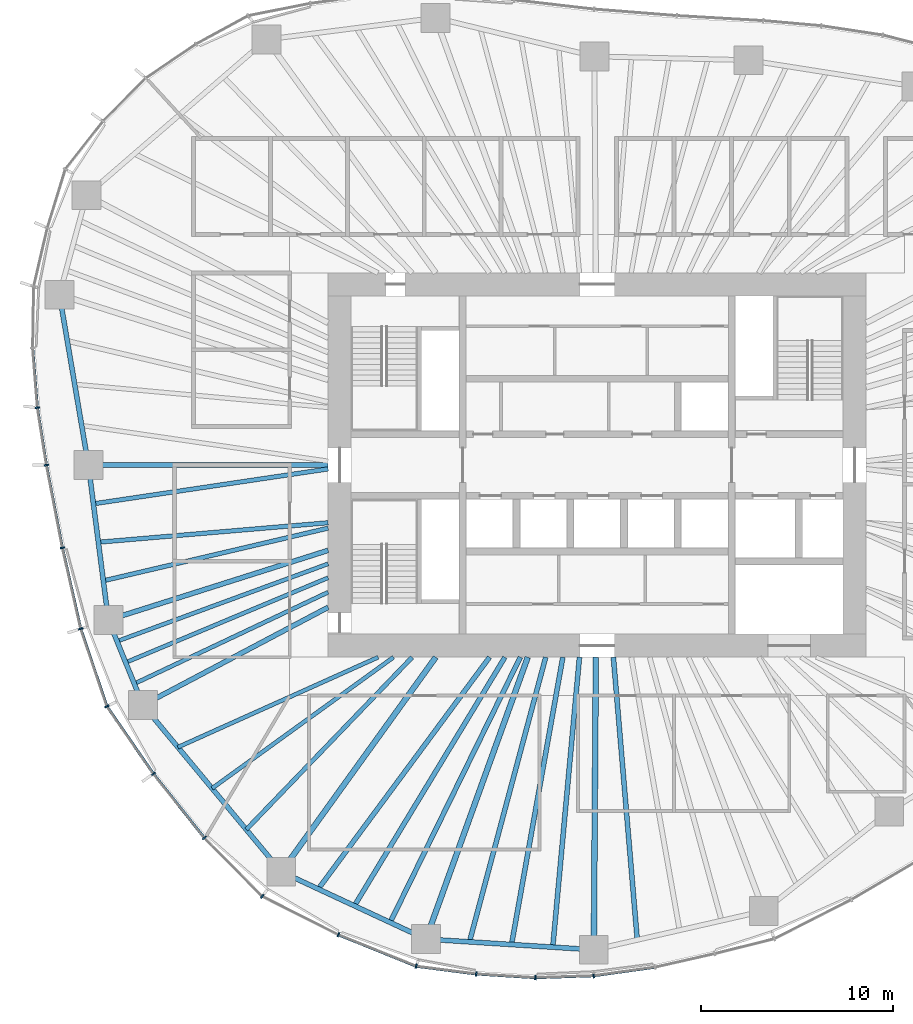
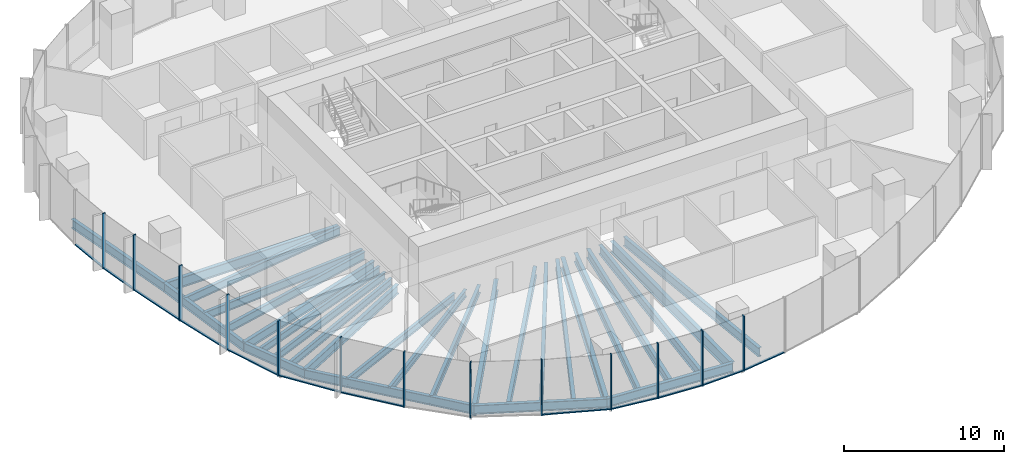
# One storey, part 2 of 18: 28 beams, 25 members, 7 elements without a shape of their own.
"""IFC4 building model written with IfcOpenShell, lengths in metres."""

from ifc_helpers import new_model, si_unit, direction, frame, origin, origin_2d, place, context, subcontext, project, spatial, rectangle, i_section, extrude, material, material_profile, profile_set, type_object, element, aggregate, save


model = new_model("IFC4")

# Units and contexts
model_context = context("Model", 3, precision=1e-05, world=origin(), true_north=direction((0.0, 1.0)))
body_context = subcontext(model_context, "Body", "Model", "MODEL_VIEW")
ifc_project = project(units=[si_unit("LENGTHUNIT", "METRE"), si_unit("AREAUNIT", "SQUARE_METRE"), si_unit("VOLUMEUNIT", "CUBIC_METRE"), si_unit("PLANEANGLEUNIT", "RADIAN"), si_unit("MASSUNIT", "GRAM", prefix="KILO")], contexts=[model_context])

# Site, building, storey
site_placement = place(None, origin())
site = spatial("IfcSite", under=ifc_project, at=site_placement, CompositionType="ELEMENT")
building_placement = place(site_placement, origin())
building = spatial("IfcBuilding", under=site, at=building_placement, Name="Ghaith Harvest Tower", CompositionType="ELEMENT")
storey_placement = place(building_placement, frame((0.0, 0.0, 134.39990234375)))
storey = spatial("IfcBuildingStorey", under=building, at=storey_placement, Name="L28", CompositionType="ELEMENT", Elevation=134.39990234375)

# Curtain wall, member
ifc_material_1 = material(Name="Black anodised aluminium and fritted glass", Category="aluminium")
curtain_wall_type = type_object("IfcCurtainWallType", Name="CW-L CURTAIN WALL", PredefinedType="NOTDEFINED", material=ifc_material_1)
curtain_wall_1_placement = place(storey_placement, origin())
curtain_wall_1 = element("IfcCurtainWall", 1, at=curtain_wall_1_placement, inside=storey, type_object=curtain_wall_type, Name="Curtain wall CW-L bay 10 L28", PredefinedType="NOTDEFINED")
ifc_material_2 = material(Name="Aluminium, black anodised", Category="aluminium")
ifc_material_profile_1 = material_profile(ifc_material_2, rectangle(XDim=0.080078125, YDim=0.239990234375, at=origin_2d()), Name="CW-L MULLION 80x240")
ifc_profile_set_1 = profile_set([ifc_material_profile_1], Name="Aluminium, black anodised")
member_type_1 = type_object("IfcMemberType", Name="CW-L MULLION 80x240", PredefinedType="MULLION", material=ifc_profile_set_1)
member_1_placement = place(storey_placement, frame((-29.131103515625, 2.990478515625, 0.0), z_axis=(0.0, 0.0, 1.0), x_axis=(0.116763791346, -0.993159713757, 0.0)))
member_1 = element("IfcMember", 2, at=member_1_placement, type_object=member_type_1, Name="CW-L mullion 3 bay 10 L28", PredefinedType="MULLION", context=body_context, shape_type="SweptSolid", body=[
    extrude(rectangle(XDim=0.080078125, YDim=0.239990234375, at=origin_2d()), origin(), (0.0, 0.0, 1.0), 4.2001953125),
])

# Curtain wall, members
curtain_wall_2_placement = place(storey_placement, origin())
curtain_wall_2 = element("IfcCurtainWall", 3, at=curtain_wall_2_placement, inside=storey, type_object=curtain_wall_type, Name="Curtain wall CW-L bay 11 L28", PredefinedType="NOTDEFINED")
member_2_placement = place(storey_placement, frame((-28.6611328125, 0.0, 0.0), z_axis=(0.0, 0.0, 1.0), x_axis=(0.175827209372, -0.984421044292, 0.0)))
member_2 = element("IfcMember", 4, at=member_2_placement, type_object=member_type_1, Name="CW-L mullion 1 bay 11 L28", PredefinedType="MULLION", context=body_context, shape_type="SweptSolid", body=[
    extrude(rectangle(XDim=0.080078125, YDim=0.239990234375, at=origin_2d()), origin(), (0.0, 0.0, 1.0), 4.2001953125),
])
member_3_placement = place(storey_placement, frame((-27.828125, -4.30419921875, 0.0), z_axis=(0.0, 0.0, 1.0), x_axis=(0.205176300018, -0.978725030798, 0.0)))
member_3 = element("IfcMember", 5, at=member_3_placement, type_object=member_type_1, Name="CW-L mullion 2 bay 11 L28", PredefinedType="MULLION", context=body_context, shape_type="SweptSolid", body=[
    extrude(rectangle(XDim=0.080078125, YDim=0.239990234375, at=origin_2d()), origin(), (0.0, 0.0, 1.0), 4.2001953125),
])

curtain_wall_3_placement = place(storey_placement, origin())
curtain_wall_3 = element("IfcCurtainWall", 6, at=curtain_wall_3_placement, inside=storey, type_object=curtain_wall_type, Name="Curtain wall CW-L bay 12 L28", PredefinedType="NOTDEFINED")
member_4_placement = place(storey_placement, frame((-26.875732421875, -8.517333984375, 0.0), z_axis=(0.0, 0.0, 1.0), x_axis=(0.270018818005, -0.962855045125, 0.0)))
member_4 = element("IfcMember", 7, at=member_4_placement, type_object=member_type_1, Name="CW-L mullion 1 bay 12 L28", PredefinedType="MULLION", context=body_context, shape_type="SweptSolid", body=[
    extrude(rectangle(XDim=0.080078125, YDim=0.239990234375, at=origin_2d()), origin(), (0.0, 0.0, 1.0), 4.2001953125),
])
member_5_placement = place(storey_placement, frame((-25.513427734375, -12.55810546875, 0.0), z_axis=(0.0, 0.0, 1.0), x_axis=(0.448267068681, -0.893899678452, 0.0)))
member_5 = element("IfcMember", 8, at=member_5_placement, type_object=member_type_1, Name="CW-L mullion 2 bay 12 L28", PredefinedType="MULLION", context=body_context, shape_type="SweptSolid", body=[
    extrude(rectangle(XDim=0.080078125, YDim=0.239990234375, at=origin_2d()), origin(), (0.0, 0.0, 1.0), 4.2001953125),
])

curtain_wall_4_placement = place(storey_placement, origin())
curtain_wall_4 = element("IfcCurtainWall", 9, at=curtain_wall_4_placement, inside=storey, type_object=curtain_wall_type, Name="Curtain wall CW-L bay 13 L28", PredefinedType="NOTDEFINED")
member_6_placement = place(storey_placement, frame((-23.090087890625, -16.066162109375, 0.0), z_axis=(0.0, 0.0, 1.0), x_axis=(0.595740202191, -0.803177198066, 0.0)))
member_6 = element("IfcMember", 10, at=member_6_placement, type_object=member_type_1, Name="CW-L mullion 1 bay 13 L28", PredefinedType="MULLION", context=body_context, shape_type="SweptSolid", body=[
    extrude(rectangle(XDim=0.080078125, YDim=0.239990234375, at=origin_2d()), origin(), (0.0, 0.0, 1.0), 4.2001953125),
])
member_7_placement = place(storey_placement, frame((-20.441162109375, -19.396728515625, 0.0), z_axis=(0.0, 0.0, 1.0), x_axis=(0.663764675537, -0.747941478666, 0.0)))
member_7 = element("IfcMember", 11, at=member_7_placement, type_object=member_type_1, Name="CW-L mullion 2 bay 13 L28", PredefinedType="MULLION", context=body_context, shape_type="SweptSolid", body=[
    extrude(rectangle(XDim=0.080078125, YDim=0.239990234375, at=origin_2d()), origin(), (0.0, 0.0, 1.0), 4.2001953125),
])

curtain_wall_5_placement = place(storey_placement, origin())
curtain_wall_5 = element("IfcCurtainWall", 12, at=curtain_wall_5_placement, inside=storey, type_object=curtain_wall_type, Name="Curtain wall CW-L bay 14 L28", PredefinedType="NOTDEFINED")
member_8_placement = place(storey_placement, frame((-17.430419921875, -22.443603515625, 0.0), z_axis=(0.0, 0.0, 1.0), x_axis=(0.810339399222, -0.585960799089, 0.0)))
member_8 = element("IfcMember", 13, at=member_8_placement, type_object=member_type_1, Name="CW-L mullion 1 bay 14 L28", PredefinedType="MULLION", context=body_context, shape_type="SweptSolid", body=[
    extrude(rectangle(XDim=0.080078125, YDim=0.239990234375, at=origin_2d()), origin(), (0.0, 0.0, 1.0), 4.2001953125),
])
member_9_placement = place(storey_placement, frame((-13.463134765625, -24.4423828125, 0.0), z_axis=(0.0, 0.0, 1.0), x_axis=(0.910648017946, -0.413182995066, 0.0)))
member_9 = element("IfcMember", 14, at=member_9_placement, type_object=member_type_1, Name="CW-L mullion 2 bay 14 L28", PredefinedType="MULLION", context=body_context, shape_type="SweptSolid", body=[
    extrude(rectangle(XDim=0.080078125, YDim=0.239990234375, at=origin_2d()), origin(), (0.0, 0.0, 1.0), 4.2001953125),
])

curtain_wall_6_placement = place(storey_placement, origin())
curtain_wall_6 = element("IfcCurtainWall", 15, at=curtain_wall_6_placement, inside=storey, type_object=curtain_wall_type, Name="Curtain wall CW-L bay 15 L28", PredefinedType="NOTDEFINED")
member_10_placement = place(storey_placement, frame((-9.4189453125, -26.07861328125, 0.0), z_axis=(0.0, 0.0, 1.0), x_axis=(0.961788606004, -0.273793128768, 0.0)))
member_10 = element("IfcMember", 16, at=member_10_placement, type_object=member_type_1, Name="CW-L mullion 1 bay 15 L28", PredefinedType="MULLION", context=body_context, shape_type="SweptSolid", body=[
    extrude(rectangle(XDim=0.080078125, YDim=0.239990234375, at=origin_2d()), origin(), (0.0, 0.0, 1.0), 4.2001953125),
])
member_11_placement = place(storey_placement, frame((-6.29443359375, -26.483154296875, 0.0), z_axis=(0.0, 0.0, 1.0), x_axis=(0.995389243171, -0.095917957546, 0.0)))
member_11 = element("IfcMember", 17, at=member_11_placement, type_object=member_type_1, Name="CW-L mullion 2 bay 15 L28", PredefinedType="MULLION", context=body_context, shape_type="SweptSolid", body=[
    extrude(rectangle(XDim=0.080078125, YDim=0.239990234375, at=origin_2d()), origin(), (0.0, 0.0, 1.0), 4.2001953125),
])
member_12_placement = place(storey_placement, frame((-3.21923828125, -26.676025390625, 0.0), z_axis=(0.0, 0.0, 1.0), x_axis=(0.999890531495, -0.014796115241, 0.0)))
member_12 = element("IfcMember", 18, at=member_12_placement, type_object=member_type_1, Name="CW-L mullion 3 bay 15 L28", PredefinedType="MULLION", context=body_context, shape_type="SweptSolid", body=[
    extrude(rectangle(XDim=0.080078125, YDim=0.239990234375, at=origin_2d()), origin(), (0.0, 0.0, 1.0), 4.2001953125),
])

# Curtain wall, member
curtain_wall_7_placement = place(storey_placement, origin())
curtain_wall_7 = element("IfcCurtainWall", 19, at=curtain_wall_7_placement, inside=storey, type_object=curtain_wall_type, Name="Curtain wall CW-L bay 16 L28", PredefinedType="NOTDEFINED")
member_13_placement = place(storey_placement, frame((-0.181884765625, -26.57373046875, 0.0), z_axis=(0.0, 0.0, 1.0), x_axis=(0.996169227662, 0.087446382772, 0.0)))
member_13 = element("IfcMember", 20, at=member_13_placement, type_object=member_type_1, Name="CW-L mullion 1 bay 16 L28", PredefinedType="MULLION", context=body_context, shape_type="SweptSolid", body=[
    extrude(rectangle(XDim=0.080078125, YDim=0.239990234375, at=origin_2d()), origin(), (0.0, 0.0, 1.0), 4.2001953125),
])

# Member
ifc_material_3 = material(Name="Aluminium, black anodised", Category="aluminium")
ifc_material_profile_2 = material_profile(ifc_material_3, rectangle(XDim=0.14990234375, YDim=0.080078125, at=origin_2d()), Name="CW-L TRANSOM 150x80")
ifc_profile_set_2 = profile_set([ifc_material_profile_2], Name="Aluminium, black anodised")
member_type_2 = type_object("IfcMemberType", Name="CW-L TRANSOM 150x80", PredefinedType="USERDEFINED", material=ifc_profile_set_2)
member_14_placement = place(storey_placement, frame((-29.374755859375, 6.05615234375, 0.0400390625), z_axis=(0.079230491279, -0.996856323274, 0.0), x_axis=(0.996856323274, 0.079230491279, 0.0)))
member_14 = element("IfcMember", 21, at=member_14_placement, type_object=member_type_2, Name="CW-L transom 2 bay 10 L28", ObjectType="TRANSOM", PredefinedType="USERDEFINED", context=body_context, shape_type="SweptSolid", body=[
    extrude(rectangle(XDim=0.14990234375, YDim=0.080078125, at=origin_2d()), origin(), (0.0, 0.0, 1.0), 3.03515625),
])

member_15_placement = place(storey_placement, frame((-29.124755859375, 2.951171875, 0.0400390625), z_axis=(0.155150065502, -0.987890913601, 0.0), x_axis=(0.987890913601, 0.155150065502, 0.0)))
member_15 = element("IfcMember", 22, at=member_15_placement, type_object=member_type_2, Name="CW-L transom 3 bay 10 L28", ObjectType="TRANSOM", PredefinedType="USERDEFINED", context=body_context, shape_type="SweptSolid", body=[
    extrude(rectangle(XDim=0.14990234375, YDim=0.080078125, at=origin_2d()), origin(), (0.0, 0.0, 1.0), 2.947265625),
])

aggregate(curtain_wall_1, [member_14, member_1, member_15])

member_16_placement = place(storey_placement, frame((-28.653564453125, -0.039306640625, 0.0400390625), z_axis=(0.190025434036, -0.981779167848, 0.0), x_axis=(0.981779167848, 0.190025434036, 0.0)))
member_16 = element("IfcMember", 23, at=member_16_placement, type_object=member_type_2, Name="CW-L transom 1 bay 11 L28", ObjectType="TRANSOM", PredefinedType="USERDEFINED", context=body_context, shape_type="SweptSolid", body=[
    extrude(rectangle(XDim=0.14990234375, YDim=0.080078125, at=origin_2d()), origin(), (0.0, 0.0, 1.0), 4.303955078125),
])

member_17_placement = place(storey_placement, frame((-27.8193359375, -4.34326171875, 0.0400390625), z_axis=(0.220508326041, -0.975385092231, 0.0), x_axis=(0.975385092231, 0.220508326041, 0.0)))
member_17 = element("IfcMember", 24, at=member_17_placement, type_object=member_type_2, Name="CW-L transom 2 bay 11 L28", ObjectType="TRANSOM", PredefinedType="USERDEFINED", context=body_context, shape_type="SweptSolid", body=[
    extrude(rectangle(XDim=0.14990234375, YDim=0.080078125, at=origin_2d()), origin(), (0.0, 0.0, 1.0), 4.2392578125),
])

aggregate(curtain_wall_2, [member_2, member_16, member_3, member_17])

member_18_placement = place(storey_placement, frame((-26.863037109375, -8.55517578125, 0.0400390625), z_axis=(0.319499057133, -0.947586593664, 0.0), x_axis=(0.947586593664, 0.319499057133, 0.0)))
member_18 = element("IfcMember", 25, at=member_18_placement, type_object=member_type_2, Name="CW-L transom 1 bay 12 L28", ObjectType="TRANSOM", PredefinedType="USERDEFINED", context=body_context, shape_type="SweptSolid", body=[
    extrude(rectangle(XDim=0.14990234375, YDim=0.080078125, at=origin_2d()), origin(), (0.0, 0.0, 1.0), 4.184326171875),
])

member_19_placement = place(storey_placement, frame((-25.49072265625, -12.591064453125, 0.0400390625), z_axis=(0.568360052499, -0.822779952796, 0.0), x_axis=(0.822779952796, 0.568360052499, 0.0)))
member_19 = element("IfcMember", 26, at=member_19_placement, type_object=member_type_2, Name="CW-L transom 2 bay 12 L28", ObjectType="TRANSOM", PredefinedType="USERDEFINED", context=body_context, shape_type="SweptSolid", body=[
    extrude(rectangle(XDim=0.14990234375, YDim=0.080078125, at=origin_2d()), origin(), (0.0, 0.0, 1.0), 4.183837890625),
])

aggregate(curtain_wall_3, [member_4, member_18, member_5, member_19])

member_20_placement = place(storey_placement, frame((-23.065185546875, -16.09765625, 0.0400390625), z_axis=(0.622510542814, -0.782611413209, 0.0), x_axis=(0.782611413209, 0.622510542814, 0.0)))
member_20 = element("IfcMember", 27, at=member_20_placement, type_object=member_type_2, Name="CW-L transom 1 bay 13 L28", ObjectType="TRANSOM", PredefinedType="USERDEFINED", context=body_context, shape_type="SweptSolid", body=[
    extrude(rectangle(XDim=0.14990234375, YDim=0.080078125, at=origin_2d()), origin(), (0.0, 0.0, 1.0), 4.17529296875),
])

aggregate(curtain_wall_4, [member_6, member_20, member_7])

member_21_placement = place(storey_placement, frame((-13.426025390625, -24.45751953125, 0.0400390625), z_axis=(0.92700297754, -0.375053968959, 0.0), x_axis=(0.375053968959, 0.92700297754, 0.0)))
member_21 = element("IfcMember", 28, at=member_21_placement, type_object=member_type_2, Name="CW-L transom 2 bay 14 L28", ObjectType="TRANSOM", PredefinedType="USERDEFINED", context=body_context, shape_type="SweptSolid", body=[
    extrude(rectangle(XDim=0.14990234375, YDim=0.080078125, at=origin_2d()), origin(), (0.0, 0.0, 1.0), 4.282470703125),
])

aggregate(curtain_wall_5, [member_8, member_9, member_21])

member_22_placement = place(storey_placement, frame((-9.37939453125, -26.083740234375, 0.0400390625), z_axis=(0.991722765635, -0.128397648429, 0.0), x_axis=(0.128397648429, 0.991722765635, 0.0)))
member_22 = element("IfcMember", 29, at=member_22_placement, type_object=member_type_2, Name="CW-L transom 1 bay 15 L28", ObjectType="TRANSOM", PredefinedType="USERDEFINED", context=body_context, shape_type="SweptSolid", body=[
    extrude(rectangle(XDim=0.14990234375, YDim=0.080078125, at=origin_2d()), origin(), (0.0, 0.0, 1.0), 3.07080078125),
])

member_23_placement = place(storey_placement, frame((-6.25439453125, -26.485595703125, 0.0400390625), z_axis=(0.998036402434, -0.062636566132, 0.0), x_axis=(0.062636566132, 0.998036402434, 0.0)))
member_23 = element("IfcMember", 30, at=member_23_placement, type_object=member_type_2, Name="CW-L transom 2 bay 15 L28", ObjectType="TRANSOM", PredefinedType="USERDEFINED", context=body_context, shape_type="SweptSolid", body=[
    extrude(rectangle(XDim=0.14990234375, YDim=0.080078125, at=origin_2d()), origin(), (0.0, 0.0, 1.0), 3.001220703125),
])

member_24_placement = place(storey_placement, frame((-3.17919921875, -26.6748046875, 0.0400390625), z_axis=(0.999430436664, 0.033746144522, 0.0), x_axis=(-0.033746144522, 0.999430436664, 0.0)))
member_24 = element("IfcMember", 31, at=member_24_placement, type_object=member_type_2, Name="CW-L transom 3 bay 15 L28", ObjectType="TRANSOM", PredefinedType="USERDEFINED", context=body_context, shape_type="SweptSolid", body=[
    extrude(rectangle(XDim=0.14990234375, YDim=0.080078125, at=origin_2d()), origin(), (0.0, 0.0, 1.0), 2.958984375),
])

aggregate(curtain_wall_6, [member_10, member_22, member_11, member_23, member_12, member_24])

member_25_placement = place(storey_placement, frame((-0.142333984375, -26.568115234375, 0.0400390625), z_axis=(0.990446640965, 0.137896524254, 0.0), x_axis=(-0.137896524254, 0.990446640965, 0.0)))
member_25 = element("IfcMember", 32, at=member_25_placement, type_object=member_type_2, Name="CW-L transom 1 bay 16 L28", ObjectType="TRANSOM", PredefinedType="USERDEFINED", context=body_context, shape_type="SweptSolid", body=[
    extrude(rectangle(XDim=0.14990234375, YDim=0.080078125, at=origin_2d()), origin(), (0.0, 0.0, 1.0), 3.142578125),
])

aggregate(curtain_wall_7, [member_13, member_25])

# Beams
ifc_material_4 = material(Name="Steel ASTM A992 Grade 50", Category="steel")
ifc_material_profile_3 = material_profile(ifc_material_4, i_section(OverallWidth=0.25390625, OverallDepth=0.68408203125, WebThickness=0.012451171875, FlangeThickness=0.018798828125, at=origin_2d()), Name="W690X140")
ifc_profile_set_3 = profile_set([ifc_material_profile_3], Name="Steel ASTM A992 Grade 50")
beam_type_1 = type_object("IfcBeamType", Name="E690-140 W690X140", PredefinedType="SPANDREL", material=ifc_profile_set_3)
beam_1_placement = place(storey_placement, frame((-27.98291015625, 8.867919921875, -0.511962890625), z_axis=(0.167624246844, -0.985850958244, 0.0), x_axis=(0.985850958244, 0.167624246844, 0.0)))
element("IfcBeam", 33, at=beam_1_placement, inside=storey, type_object=beam_type_1, Name="Edge beam E10 L28", PredefinedType="SPANDREL", context=body_context, shape_type="SweptSolid", body=[
    extrude(i_section(OverallWidth=0.25390625, OverallDepth=0.68408203125, WebThickness=0.012451171875, FlangeThickness=0.018798828125, at=origin_2d()), origin(), (0.0, 0.0, 1.0), 8.9951171875),
])
beam_2_placement = place(storey_placement, frame((-26.47509765625, 0.0, -0.511962890625), z_axis=(0.127841715048, -0.991794583517, 0.0), x_axis=(0.991794583517, 0.127841715048, 0.0)))
element("IfcBeam", 34, at=beam_2_placement, inside=storey, type_object=beam_type_1, Name="Edge beam E11 L28", PredefinedType="SPANDREL", context=body_context, shape_type="SweptSolid", body=[
    extrude(i_section(OverallWidth=0.25390625, OverallDepth=0.68408203125, WebThickness=0.012451171875, FlangeThickness=0.018798828125, at=origin_2d()), origin(), (0.0, 0.0, 1.0), 8.127685546875),
])
beam_3_placement = place(storey_placement, frame((-25.43603515625, -8.06103515625, -0.511962890625), z_axis=(0.376479712052, -0.9264248628, 0.0), x_axis=(0.9264248628, 0.376479712052, 0.0)))
element("IfcBeam", 35, at=beam_3_placement, inside=storey, type_object=beam_type_1, Name="Edge beam E12 L28", PredefinedType="SPANDREL", context=body_context, shape_type="SweptSolid", body=[
    extrude(i_section(OverallWidth=0.25390625, OverallDepth=0.68408203125, WebThickness=0.012451171875, FlangeThickness=0.018798828125, at=origin_2d()), origin(), (0.0, 0.0, 1.0), 4.783935546875),
])
beam_4_placement = place(storey_placement, frame((-23.635009765625, -12.492919921875, -0.511962890625), z_axis=(0.638719320052, -0.769439815835, 0.0), x_axis=(0.769439815835, 0.638719320052, 0.0)))
element("IfcBeam", 36, at=beam_4_placement, inside=storey, type_object=beam_type_1, Name="Edge beam E13 L28", PredefinedType="SPANDREL", context=body_context, shape_type="SweptSolid", body=[
    extrude(i_section(OverallWidth=0.25390625, OverallDepth=0.68408203125, WebThickness=0.012451171875, FlangeThickness=0.018798828125, at=origin_2d()), origin(), (0.0, 0.0, 1.0), 11.26953125),
])
beam_5_placement = place(storey_placement, frame((-16.43701171875, -21.1640625, -0.511962890625), z_axis=(0.906607079462, -0.421975832802, 0.0), x_axis=(0.421975832802, 0.906607079462, 0.0)))
element("IfcBeam", 37, at=beam_5_placement, inside=storey, type_object=beam_type_1, Name="Edge beam E14 L28", PredefinedType="SPANDREL", context=body_context, shape_type="SweptSolid", body=[
    extrude(i_section(OverallWidth=0.25390625, OverallDepth=0.68408203125, WebThickness=0.012451171875, FlangeThickness=0.018798828125, at=origin_2d()), origin(), (0.0, 0.0, 1.0), 8.303466796875),
])
beam_6_placement = place(storey_placement, frame((-8.908935546875, -24.66796875, -0.511962890625), z_axis=(0.99797963184, -0.063534671101, 0.0), x_axis=(0.063534671101, 0.99797963184, 0.0)))
element("IfcBeam", 38, at=beam_6_placement, inside=storey, type_object=beam_type_1, Name="Edge beam E15 L28", PredefinedType="SPANDREL", context=body_context, shape_type="SweptSolid", body=[
    extrude(i_section(OverallWidth=0.25390625, OverallDepth=0.68408203125, WebThickness=0.012451171875, FlangeThickness=0.018798828125, at=origin_2d()), origin(), (0.0, 0.0, 1.0), 8.75341796875),
])
ifc_material_5 = material(Name="Steel ASTM A992 Grade 50", Category="steel")
ifc_material_profile_4 = material_profile(ifc_material_5, i_section(OverallWidth=0.256103515625, OverallDepth=0.693115234375, WebThickness=0.014404296875, FlangeThickness=0.023681640625, at=origin_2d()), Name="W690X170")
ifc_profile_set_4 = profile_set([ifc_material_profile_4], Name="Steel ASTM A992 Grade 50")
beam_type_2 = type_object("IfcBeamType", Name="G690-170 W690X170", PredefinedType="BEAM", material=ifc_profile_set_4)
beam_7_placement = place(storey_placement, frame((-14.0, -4.43701171875, -0.516357421875), z_axis=(-0.953279533519, -0.302089607522, 0.0), x_axis=(0.302089607522, -0.953279533519, 0.0)))
element("IfcBeam", 39, at=beam_7_placement, inside=storey, type_object=beam_type_2, Name="Radial girder G12 L28", PredefinedType="BEAM", context=body_context, shape_type="SweptSolid", body=[
    extrude(i_section(OverallWidth=0.256103515625, OverallDepth=0.693115234375, WebThickness=0.014404296875, FlangeThickness=0.023681640625, at=origin_2d()), origin(), (0.0, 0.0, 1.0), 11.99658203125),
])
beam_8_placement = place(storey_placement, frame((-14.0, -7.39990234375, -0.516357421875), z_axis=(-0.884086346066, -0.467323584576, 0.0), x_axis=(0.467323584576, -0.884086346066, 0.0)))
element("IfcBeam", 40, at=beam_8_placement, inside=storey, type_object=beam_type_2, Name="Radial girder G13 L28", PredefinedType="BEAM", context=body_context, shape_type="SweptSolid", body=[
    extrude(i_section(OverallWidth=0.256103515625, OverallDepth=0.693115234375, WebThickness=0.014404296875, FlangeThickness=0.023681640625, at=origin_2d()), origin(), (0.0, 0.0, 1.0), 10.898193359375),
])
ifc_material_6 = material(Name="Steel ASTM A992 Grade 50", Category="steel")
ifc_material_profile_5 = material_profile(ifc_material_6, i_section(OverallWidth=0.26806640625, OverallDepth=0.77001953125, WebThickness=0.015625, FlangeThickness=0.025390625, at=origin_2d()), Name="W760X196")
ifc_profile_set_5 = profile_set([ifc_material_profile_5], Name="Steel ASTM A992 Grade 50")
beam_type_3 = type_object("IfcBeamType", Name="G760-196 W760X196", PredefinedType="BEAM", material=ifc_profile_set_5)
beam_9_placement = place(storey_placement, frame((-14.0, 0.0, -0.554931640625), z_axis=(-1.0, 0.0, 0.0), x_axis=(0.0, -1.0, 0.0)))
element("IfcBeam", 41, at=beam_9_placement, inside=storey, type_object=beam_type_3, Name="Radial girder G11 L28", PredefinedType="BEAM", context=body_context, shape_type="SweptSolid", body=[
    extrude(i_section(OverallWidth=0.26806640625, OverallDepth=0.77001953125, WebThickness=0.015625, FlangeThickness=0.025390625, at=origin_2d()), origin(), (0.0, 0.0, 1.0), 12.47509765625),
])
ifc_material_7 = material(Name="Steel ASTM A992 Grade 50", Category="steel")
ifc_material_profile_6 = material_profile(ifc_material_7, i_section(OverallWidth=0.2939453125, OverallDepth=0.85107421875, WebThickness=0.01611328125, FlangeThickness=0.02685546875, at=origin_2d()), Name="W840X226")
ifc_profile_set_6 = profile_set([ifc_material_profile_6], Name="Steel ASTM A992 Grade 50")
beam_type_4 = type_object("IfcBeamType", Name="G840-226 W840X226", PredefinedType="BEAM", material=ifc_profile_set_6)
beam_10_placement = place(storey_placement, frame((-8.39990234375, -10.0, -0.595458984375), z_axis=(-0.584256100809, -0.811569349265, 0.0), x_axis=(0.811569349265, -0.584256100809, 0.0)))
element("IfcBeam", 42, at=beam_10_placement, inside=storey, type_object=beam_type_4, Name="Radial girder G14 L28", PredefinedType="BEAM", context=body_context, shape_type="SweptSolid", body=[
    extrude(i_section(OverallWidth=0.2939453125, OverallDepth=0.85107421875, WebThickness=0.01611328125, FlangeThickness=0.02685546875, at=origin_2d()), origin(), (0.0, 0.0, 1.0), 13.756103515625),
])
beam_11_placement = place(storey_placement, frame((-3.61181640625, -10.0, -0.595458984375), z_axis=(-0.339664467784, -0.940546675782, 0.0), x_axis=(0.940546675782, -0.339664467784, 0.0)))
element("IfcBeam", 43, at=beam_11_placement, inside=storey, type_object=beam_type_4, Name="Radial girder G15 L28", PredefinedType="BEAM", context=body_context, shape_type="SweptSolid", body=[
    extrude(i_section(OverallWidth=0.2939453125, OverallDepth=0.85107421875, WebThickness=0.01611328125, FlangeThickness=0.02685546875, at=origin_2d()), origin(), (0.0, 0.0, 1.0), 15.59521484375),
])
beam_12_placement = place(storey_placement, frame((-0.068359375, -10.0, -0.595458984375), z_axis=(-0.006879467722, -0.999976336182, 0.0), x_axis=(0.999976336182, -0.006879467722, 0.0)))
element("IfcBeam", 44, at=beam_12_placement, inside=storey, type_object=beam_type_4, Name="Radial girder G16 L28", PredefinedType="BEAM", context=body_context, shape_type="SweptSolid", body=[
    extrude(i_section(OverallWidth=0.2939453125, OverallDepth=0.85107421875, WebThickness=0.01611328125, FlangeThickness=0.02685546875, at=origin_2d()), origin(), (0.0, 0.0, 1.0), 15.224365234375),
])
ifc_material_8 = material(Name="Steel ASTM A992 Grade 50", Category="steel")
ifc_material_profile_7 = material_profile(ifc_material_8, i_section(OverallWidth=0.2109375, OverallDepth=0.5390625, WebThickness=0.01171875, FlangeThickness=0.018798828125, at=origin_2d()), Name="W530X109")
ifc_profile_set_7 = profile_set([ifc_material_profile_7], Name="Steel ASTM A992 Grade 50")
beam_type_5 = type_object("IfcBeamType", Name="J530-109 W530X109", PredefinedType="JOIST", material=ifc_profile_set_7)
beam_13_placement = place(storey_placement, frame((-14.0, -5.137939453125, -0.439453125), z_axis=(-0.938774452531, -0.344532331247, 0.0), x_axis=(0.344532331247, -0.938774452531, 0.0)))
element("IfcBeam", 45, at=beam_13_placement, inside=storey, type_object=beam_type_5, Name="Joist J12.1 L28", PredefinedType="JOIST", context=body_context, shape_type="SweptSolid", body=[
    extrude(i_section(OverallWidth=0.2109375, OverallDepth=0.5390625, WebThickness=0.01171875, FlangeThickness=0.018798828125, at=origin_2d()), origin(), (0.0, 0.0, 1.0), 11.7021484375),
])
beam_14_placement = place(storey_placement, frame((-14.0, -5.862548828125, -0.439453125), z_axis=(-0.922385564947, -0.386270461693, 0.0), x_axis=(0.386270461693, -0.922385564947, 0.0)))
element("IfcBeam", 46, at=beam_14_placement, inside=storey, type_object=beam_type_5, Name="Joist J12.2 L28", PredefinedType="JOIST", context=body_context, shape_type="SweptSolid", body=[
    extrude(i_section(OverallWidth=0.2109375, OverallDepth=0.5390625, WebThickness=0.01171875, FlangeThickness=0.018798828125, at=origin_2d()), origin(), (0.0, 0.0, 1.0), 11.4228515625),
])
beam_15_placement = place(storey_placement, frame((-14.0, -6.614990234375, -0.439453125), z_axis=(-0.904150042111, -0.427215052815, 0.0), x_axis=(0.427215052815, -0.904150042111, 0.0)))
element("IfcBeam", 47, at=beam_15_placement, inside=storey, type_object=beam_type_5, Name="Joist J12.3 L28", PredefinedType="JOIST", context=body_context, shape_type="SweptSolid", body=[
    extrude(i_section(OverallWidth=0.2109375, OverallDepth=0.5390625, WebThickness=0.01171875, FlangeThickness=0.018798828125, at=origin_2d()), origin(), (0.0, 0.0, 1.0), 11.15625),
])
beam_16_placement = place(storey_placement, frame((-11.39990234375, -10.0, -0.439453125), z_axis=(-0.912147734774, -0.409861574127, 0.0), x_axis=(0.409861574127, -0.912147734774, 0.0)))
element("IfcBeam", 48, at=beam_16_placement, inside=storey, type_object=beam_type_5, Name="Joist J13.1 L28", PredefinedType="JOIST", context=body_context, shape_type="SweptSolid", body=[
    extrude(i_section(OverallWidth=0.2109375, OverallDepth=0.5390625, WebThickness=0.01171875, FlangeThickness=0.018798828125, at=origin_2d()), origin(), (0.0, 0.0, 1.0), 11.421875),
])
beam_17_placement = place(storey_placement, frame((-10.60009765625, -10.0, -0.439453125), z_axis=(-0.810452010932, -0.5858050341, 0.0), x_axis=(0.5858050341, -0.810452010932, 0.0)))
element("IfcBeam", 49, at=beam_17_placement, inside=storey, type_object=beam_type_5, Name="Joist J13.2 L28", PredefinedType="JOIST", context=body_context, shape_type="SweptSolid", body=[
    extrude(i_section(OverallWidth=0.2109375, OverallDepth=0.5390625, WebThickness=0.01171875, FlangeThickness=0.018798828125, at=origin_2d()), origin(), (0.0, 0.0, 1.0), 11.64794921875),
])
ifc_material_9 = material(Name="Steel ASTM A992 Grade 50", Category="steel")
ifc_material_profile_8 = material_profile(ifc_material_9, i_section(OverallWidth=0.22900390625, OverallDepth=0.612060546875, WebThickness=0.011962890625, FlangeThickness=0.01953125, at=origin_2d()), Name="W610X125")
ifc_profile_set_8 = profile_set([ifc_material_profile_8], Name="Steel ASTM A992 Grade 50")
beam_type_6 = type_object("IfcBeamType", Name="J610-125 W610X125", PredefinedType="JOIST", material=ifc_profile_set_8)
beam_18_placement = place(storey_placement, frame((-14.0, -0.199951171875, -0.475830078125), z_axis=(-0.989135422742, -0.147007195321, 0.0), x_axis=(0.147007195321, -0.989135422742, 0.0)))
element("IfcBeam", 50, at=beam_18_placement, inside=storey, type_object=beam_type_6, Name="Joist J11.1 L28", PredefinedType="JOIST", context=body_context, shape_type="SweptSolid", body=[
    extrude(i_section(OverallWidth=0.22900390625, OverallDepth=0.612060546875, WebThickness=0.011962890625, FlangeThickness=0.01953125, at=origin_2d()), origin(), (0.0, 0.0, 1.0), 12.349365234375),
])
beam_19_placement = place(storey_placement, frame((-14.0, -3.0, -0.475830078125), z_axis=(-0.996417474722, -0.0845707755, 0.0), x_axis=(0.0845707755, -0.996417474722, 0.0)))
element("IfcBeam", 51, at=beam_19_placement, inside=storey, type_object=beam_type_6, Name="Joist J11.2 L28", PredefinedType="JOIST", context=body_context, shape_type="SweptSolid", body=[
    extrude(i_section(OverallWidth=0.22900390625, OverallDepth=0.612060546875, WebThickness=0.011962890625, FlangeThickness=0.01953125, at=origin_2d()), origin(), (0.0, 0.0, 1.0), 12.00048828125),
])
beam_20_placement = place(storey_placement, frame((-14.0, -3.280517578125, -0.475830078125), z_axis=(-0.973624350862, -0.228157014813, 0.0), x_axis=(0.228157014813, -0.973624350862, 0.0)))
element("IfcBeam", 52, at=beam_20_placement, inside=storey, type_object=beam_type_6, Name="Joist J11.3 L28", PredefinedType="JOIST", context=body_context, shape_type="SweptSolid", body=[
    extrude(i_section(OverallWidth=0.22900390625, OverallDepth=0.612060546875, WebThickness=0.011962890625, FlangeThickness=0.01953125, at=origin_2d()), origin(), (0.0, 0.0, 1.0), 12.015625),
])
beam_21_placement = place(storey_placement, frame((-9.626708984375, -10.0, -0.475830078125), z_axis=(-0.693534641621, -0.720423278963, 0.0), x_axis=(0.720423278963, -0.693534641621, 0.0)))
element("IfcBeam", 53, at=beam_21_placement, inside=storey, type_object=beam_type_6, Name="Joist J13.3 L28", PredefinedType="JOIST", context=body_context, shape_type="SweptSolid", body=[
    extrude(i_section(OverallWidth=0.22900390625, OverallDepth=0.612060546875, WebThickness=0.011962890625, FlangeThickness=0.01953125, at=origin_2d()), origin(), (0.0, 0.0, 1.0), 12.4482421875),
])
ifc_material_10 = material(Name="Steel ASTM A992 Grade 50", Category="steel")
ifc_material_profile_9 = material_profile(ifc_material_10, i_section(OverallWidth=0.25390625, OverallDepth=0.68408203125, WebThickness=0.012451171875, FlangeThickness=0.018798828125, at=origin_2d()), Name="W690X140")
ifc_profile_set_9 = profile_set([ifc_material_profile_9], Name="Steel ASTM A992 Grade 50")
beam_type_7 = type_object("IfcBeamType", Name="J690-140 W690X140", PredefinedType="JOIST", material=ifc_profile_set_9)
beam_22_placement = place(storey_placement, frame((-5.60009765625, -10.0, -0.511962890625), z_axis=(-0.59434024765, -0.804213696739, 0.0), x_axis=(0.804213696739, -0.59434024765, 0.0)))
element("IfcBeam", 54, at=beam_22_placement, inside=storey, type_object=beam_type_7, Name="Joist J14.1 L28", PredefinedType="JOIST", context=body_context, shape_type="SweptSolid", body=[
    extrude(i_section(OverallWidth=0.25390625, OverallDepth=0.68408203125, WebThickness=0.012451171875, FlangeThickness=0.018798828125, at=origin_2d()), origin(), (0.0, 0.0, 1.0), 14.995849609375),
])
beam_23_placement = place(storey_placement, frame((-4.800048828125, -10.0, -0.511962890625), z_axis=(-0.517986442874, -0.855388826791, 0.0), x_axis=(0.855388826791, -0.517986442874, 0.0)))
element("IfcBeam", 55, at=beam_23_placement, inside=storey, type_object=beam_type_7, Name="Joist J14.2 L28", PredefinedType="JOIST", context=body_context, shape_type="SweptSolid", body=[
    extrude(i_section(OverallWidth=0.25390625, OverallDepth=0.68408203125, WebThickness=0.012451171875, FlangeThickness=0.018798828125, at=origin_2d()), origin(), (0.0, 0.0, 1.0), 15.12158203125),
])
beam_24_placement = place(storey_placement, frame((-4.0, -10.0, -0.511962890625), z_axis=(-0.440562898219, -0.897721745706, 0.0), x_axis=(0.897721745706, -0.440562898219, 0.0)))
element("IfcBeam", 56, at=beam_24_placement, inside=storey, type_object=beam_type_7, Name="Joist J14.3 L28", PredefinedType="JOIST", context=body_context, shape_type="SweptSolid", body=[
    extrude(i_section(OverallWidth=0.25390625, OverallDepth=0.68408203125, WebThickness=0.012451171875, FlangeThickness=0.018798828125, at=origin_2d()), origin(), (0.0, 0.0, 1.0), 15.372802734375),
])
beam_25_placement = place(storey_placement, frame((-2.677978515625, -10.0, -0.511962890625), z_axis=(-0.258693109612, -0.965959561803, 0.0), x_axis=(0.965959561803, -0.258693109612, 0.0)))
element("IfcBeam", 57, at=beam_25_placement, inside=storey, type_object=beam_type_7, Name="Joist J15.1 L28", PredefinedType="JOIST", context=body_context, shape_type="SweptSolid", body=[
    extrude(i_section(OverallWidth=0.25390625, OverallDepth=0.68408203125, WebThickness=0.012451171875, FlangeThickness=0.018798828125, at=origin_2d()), origin(), (0.0, 0.0, 1.0), 15.333984375),
])
beam_26_placement = place(storey_placement, frame((-1.785888671875, -10.0, -0.511962890625), z_axis=(-0.175792307544, -0.984427277461, 0.0), x_axis=(0.984427277461, -0.175792307544, 0.0)))
element("IfcBeam", 58, at=beam_26_placement, inside=storey, type_object=beam_type_7, Name="Joist J15.2 L28", PredefinedType="JOIST", context=body_context, shape_type="SweptSolid", body=[
    extrude(i_section(OverallWidth=0.25390625, OverallDepth=0.68408203125, WebThickness=0.012451171875, FlangeThickness=0.018798828125, at=origin_2d()), origin(), (0.0, 0.0, 1.0), 15.18798828125),
])
beam_27_placement = place(storey_placement, frame((-0.92041015625, -10.0, -0.511962890625), z_axis=(-0.091651457116, -0.995791147987, 0.0), x_axis=(0.995791147987, -0.091651457116, 0.0)))
element("IfcBeam", 59, at=beam_27_placement, inside=storey, type_object=beam_type_7, Name="Joist J15.3 L28", PredefinedType="JOIST", context=body_context, shape_type="SweptSolid", body=[
    extrude(i_section(OverallWidth=0.25390625, OverallDepth=0.68408203125, WebThickness=0.012451171875, FlangeThickness=0.018798828125, at=origin_2d()), origin(), (0.0, 0.0, 1.0), 15.151611328125),
])
beam_28_placement = place(storey_placement, frame((0.844970703125, -10.0, -0.511962890625), z_axis=(0.084208979751, -0.996448115924, 0.0), x_axis=(0.996448115924, 0.084208979751, 0.0)))
element("IfcBeam", 60, at=beam_28_placement, inside=storey, type_object=beam_type_7, Name="Joist J16.1 L28", PredefinedType="JOIST", context=body_context, shape_type="SweptSolid", body=[
    extrude(i_section(OverallWidth=0.25390625, OverallDepth=0.68408203125, WebThickness=0.012451171875, FlangeThickness=0.018798828125, at=origin_2d()), origin(), (0.0, 0.0, 1.0), 14.760009765625),
])

save(model, "model.ifc")
